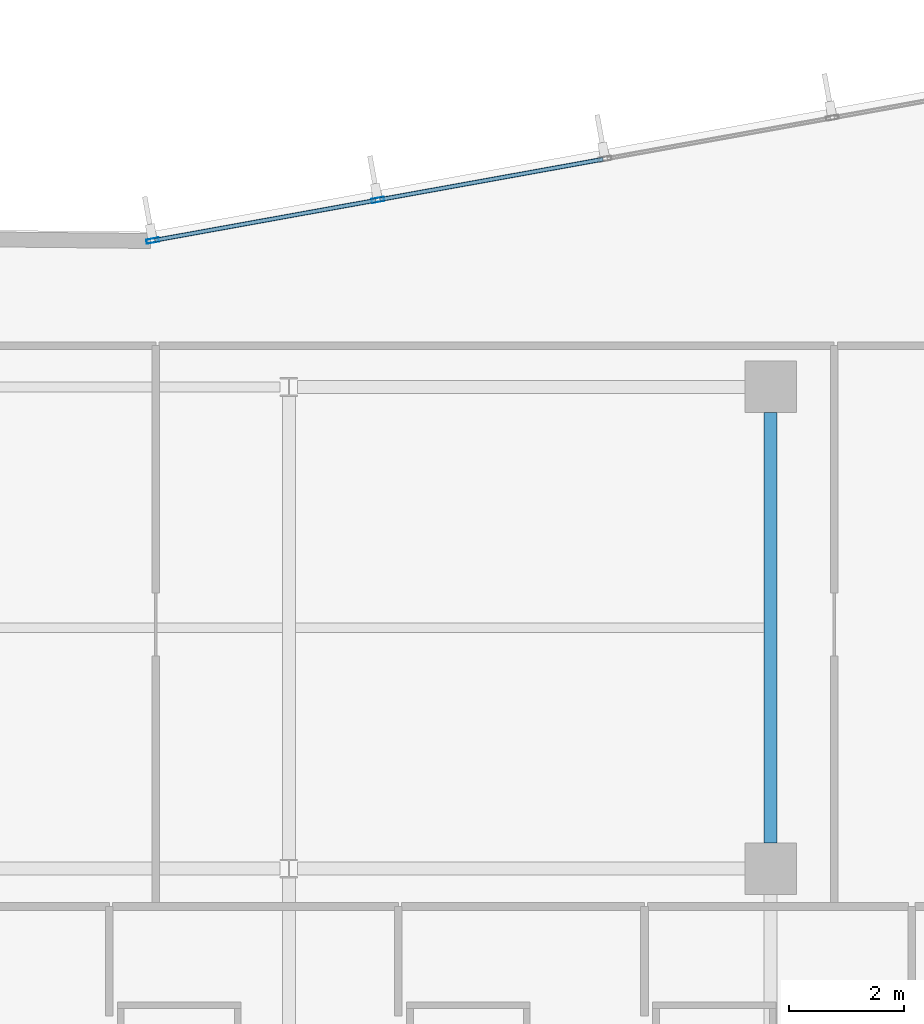
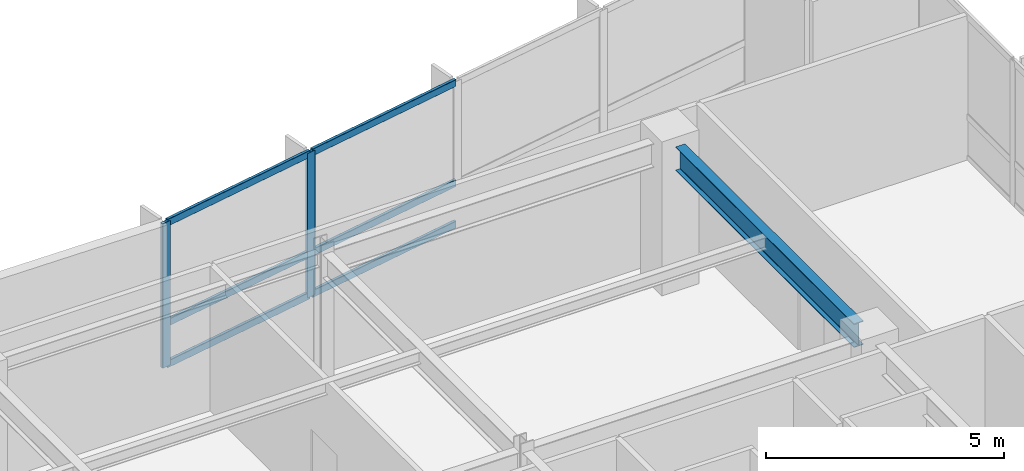
# One storey, part 7 of 19: 8 members, 1 beam, 1 element without a shape of its own.
"""IFC4 building model written with IfcOpenShell, lengths in metres."""

from ifc_helpers import new_model, si_unit, direction, frame, origin, origin_2d, place, context, subcontext, project, spatial, hollow_rectangle, i_section, extrude, material, layer, layer_set, material_profile, profile_set, type_object, element, aggregate, save


model = new_model("IFC4")

# Units and contexts
model_context = context("Model", 3, precision=1e-05, world=origin(), true_north=direction((0.0, 1.0)))
body_context = subcontext(model_context, "Body", "Model", "MODEL_VIEW")
ifc_project = project(units=[si_unit("LENGTHUNIT", "METRE"), si_unit("AREAUNIT", "SQUARE_METRE"), si_unit("VOLUMEUNIT", "CUBIC_METRE"), si_unit("PLANEANGLEUNIT", "RADIAN"), si_unit("MASSUNIT", "GRAM", prefix="KILO")], contexts=[model_context])

# Site, building, storey
site_placement = place(None, origin())
site = spatial("IfcSite", under=ifc_project, at=site_placement, CompositionType="ELEMENT")
building_placement = place(site_placement, origin())
building = spatial("IfcBuilding", under=site, at=building_placement, Name="Varnakote Quay Hospital", CompositionType="ELEMENT")
storey_placement = place(building_placement, frame((0.0, 0.0, 85.699951171875)))
storey = spatial("IfcBuildingStorey", under=building, at=storey_placement, Name="L21", CompositionType="ELEMENT", Elevation=85.699951171875)

# Beam
ifc_material_1 = material(Name="Structural steel AS/NZS 3679.1 Grade 350 L0 (fy 340 MPa)", Category="steel")
ifc_material_profile_1 = material_profile(ifc_material_1, i_section(OverallWidth=0.22900390625, OverallDepth=0.612060546875, WebThickness=0.011962890625, FlangeThickness=0.01953125, FilletRadius=0.013916015625, at=origin_2d()), Name="610UB125")
ifc_profile_set_1 = profile_set([ifc_material_profile_1], Name="Structural steel AS/NZS 3679.1 Grade 350 L0 (fy 340 MPa)")
beam_type = type_object("IfcBeamType", Name="BM-STL-610UB125", PredefinedType="BEAM", material=ifc_profile_set_1)
beam_placement = place(storey_placement, frame((50.39990234375, 20.85009765625, 3.404052734375), z_axis=(0.0, 1.0, 0.0), x_axis=(-1.0, 0.0, 0.0)))
element("IfcBeam", 1, at=beam_placement, inside=storey, type_object=beam_type, Name="L21 Primary Tie Beam", PredefinedType="BEAM", context=body_context, shape_type="SweptSolid", body=[
    extrude(i_section(OverallWidth=0.22900390625, OverallDepth=0.612060546875, WebThickness=0.011962890625, FlangeThickness=0.01953125, FilletRadius=0.013916015625, at=origin_2d()), origin(), (0.0, 0.0, 1.0), 7.5),
])

# Curtain wall, members
ifc_material_2 = material(Name="Anodised aluminium 6063-T6 Bronze", Category="aluminium")
ifc_layer = layer(ifc_material_2, 0.18994140625)
ifc_layer_set = layer_set([ifc_layer], Name="Anodised aluminium 6063-T6 Bronze")
curtain_wall_type = type_object("IfcCurtainWallType", Name="CW-SYS-2", PredefinedType="NOTDEFINED", material=ifc_layer_set)
curtain_wall_placement = place(storey_placement, origin())
curtain_wall = element("IfcCurtainWall", 2, at=curtain_wall_placement, inside=storey, type_object=curtain_wall_type, Name="L21 Unitised Bronze Curtain Wall 2", PredefinedType="NOTDEFINED")
ifc_material_3 = material(Name="Anodised aluminium 6063-T6 Bronze", Category="aluminium")
ifc_material_profile_2 = material_profile(ifc_material_3, hollow_rectangle(XDim=0.074951171875, YDim=0.219970703125, WallThickness=0.00439453125, InnerFilletRadius=0.00439453125, OuterFilletRadius=0.009033203125, at=origin_2d()), Name="CW-MULL-220x75")
ifc_profile_set_2 = profile_set([ifc_material_profile_2], Name="Anodised aluminium 6063-T6 Bronze")
member_type_1 = type_object("IfcMemberType", Name="CW-MULL-220x75", PredefinedType="MULLION", material=ifc_profile_set_2)
member_1_placement = place(storey_placement, frame((43.55224609375, 32.06005859375, 0.0), z_axis=(0.0, 0.0, 1.0), x_axis=(0.177846199098, -0.984058295766, 0.0)))
member_1 = element("IfcMember", 3, at=member_1_placement, type_object=member_type_1, Name="-2-L21-2 mullion 4", PredefinedType="MULLION", context=body_context, shape_type="SweptSolid", body=[
    extrude(hollow_rectangle(XDim=0.074951171875, YDim=0.219970703125, WallThickness=0.00439453125, InnerFilletRadius=0.00439453125, OuterFilletRadius=0.009033203125, at=origin_2d()), origin(), (0.0, 0.0, 1.0), 3.7099609375),
])
member_2_placement = place(storey_placement, frame((39.62646484375, 31.3505859375, 0.0), z_axis=(0.0, 0.0, 1.0), x_axis=(0.177846199098, -0.984058295766, 0.0)))
member_2 = element("IfcMember", 4, at=member_2_placement, type_object=member_type_1, Name="-2-L21-2 mullion 5", PredefinedType="MULLION", context=body_context, shape_type="SweptSolid", body=[
    extrude(hollow_rectangle(XDim=0.074951171875, YDim=0.219970703125, WallThickness=0.00439453125, InnerFilletRadius=0.00439453125, OuterFilletRadius=0.009033203125, at=origin_2d()), origin(), (0.0, 0.0, 1.0), 3.7099609375),
])
ifc_material_4 = material(Name="Anodised aluminium 6063-T6 Bronze", Category="aluminium")
ifc_material_profile_3 = material_profile(ifc_material_4, hollow_rectangle(XDim=0.074951171875, YDim=0.179931640625, WallThickness=0.004150390625, InnerFilletRadius=0.004150390625, OuterFilletRadius=0.00830078125, at=origin_2d()), Name="CW-TRAN-180x75")
ifc_profile_set_3 = profile_set([ifc_material_profile_3], Name="Anodised aluminium 6063-T6 Bronze")
member_type_2 = type_object("IfcMemberType", Name="CW-TRAN-180x75", PredefinedType="USERDEFINED", material=ifc_profile_set_3)
member_3_placement = place(storey_placement, frame((47.477783203125, 32.76953125, 0.03759765625), z_axis=(-0.98405423478, -0.177868667876, 0.0), x_axis=(0.177868667876, -0.98405423478, 0.0)))
member_3 = element("IfcMember", 5, at=member_3_placement, type_object=member_type_2, Name="-2-L21-2 transom 3.1", ObjectType="TRANSOM", PredefinedType="USERDEFINED", context=body_context, shape_type="SweptSolid", body=[
    extrude(hollow_rectangle(XDim=0.074951171875, YDim=0.179931640625, WallThickness=0.004150390625, InnerFilletRadius=0.004150390625, OuterFilletRadius=0.00830078125, at=origin_2d()), origin(), (0.0, 0.0, 1.0), 3.95166015625),
])
member_4_placement = place(storey_placement, frame((47.477783203125, 32.76953125, 1.10009765625), z_axis=(-0.98405423478, -0.177868667876, 0.0), x_axis=(0.177868667876, -0.98405423478, 0.0)))
member_4 = element("IfcMember", 6, at=member_4_placement, type_object=member_type_2, Name="-2-L21-2 transom 3.2", ObjectType="TRANSOM", PredefinedType="USERDEFINED", context=body_context, shape_type="SweptSolid", body=[
    extrude(hollow_rectangle(XDim=0.074951171875, YDim=0.179931640625, WallThickness=0.004150390625, InnerFilletRadius=0.004150390625, OuterFilletRadius=0.00830078125, at=origin_2d()), origin(), (0.0, 0.0, 1.0), 3.95166015625),
])
member_5_placement = place(storey_placement, frame((47.477783203125, 32.76953125, 3.672607421875), z_axis=(-0.98405423478, -0.177868667876, 0.0), x_axis=(0.177868667876, -0.98405423478, 0.0)))
member_5 = element("IfcMember", 7, at=member_5_placement, type_object=member_type_2, Name="-2-L21-2 transom 3.3", ObjectType="TRANSOM", PredefinedType="USERDEFINED", context=body_context, shape_type="SweptSolid", body=[
    extrude(hollow_rectangle(XDim=0.074951171875, YDim=0.179931640625, WallThickness=0.004150390625, InnerFilletRadius=0.004150390625, OuterFilletRadius=0.00830078125, at=origin_2d()), origin(), (0.0, 0.0, 1.0), 3.95166015625),
])
member_6_placement = place(storey_placement, frame((43.515380859375, 32.053466796875, 0.03759765625), z_axis=(-0.984053005206, -0.177875470329, 0.0), x_axis=(0.177875470329, -0.984053005206, 0.0)))
member_6 = element("IfcMember", 8, at=member_6_placement, type_object=member_type_2, Name="-2-L21-2 transom 4.1", ObjectType="TRANSOM", PredefinedType="USERDEFINED", context=body_context, shape_type="SweptSolid", body=[
    extrude(hollow_rectangle(XDim=0.074951171875, YDim=0.179931640625, WallThickness=0.004150390625, InnerFilletRadius=0.004150390625, OuterFilletRadius=0.00830078125, at=origin_2d()), origin(), (0.0, 0.0, 1.0), 3.91455078125),
])
member_7_placement = place(storey_placement, frame((43.515380859375, 32.053466796875, 1.10009765625), z_axis=(-0.984053005206, -0.177875470329, 0.0), x_axis=(0.177875470329, -0.984053005206, 0.0)))
member_7 = element("IfcMember", 9, at=member_7_placement, type_object=member_type_2, Name="-2-L21-2 transom 4.2", ObjectType="TRANSOM", PredefinedType="USERDEFINED", context=body_context, shape_type="SweptSolid", body=[
    extrude(hollow_rectangle(XDim=0.074951171875, YDim=0.179931640625, WallThickness=0.004150390625, InnerFilletRadius=0.004150390625, OuterFilletRadius=0.00830078125, at=origin_2d()), origin(), (0.0, 0.0, 1.0), 3.91455078125),
])
member_8_placement = place(storey_placement, frame((43.515380859375, 32.053466796875, 3.672607421875), z_axis=(-0.984053005206, -0.177875470329, 0.0), x_axis=(0.177875470329, -0.984053005206, 0.0)))
member_8 = element("IfcMember", 10, at=member_8_placement, type_object=member_type_2, Name="-2-L21-2 transom 4.3", ObjectType="TRANSOM", PredefinedType="USERDEFINED", context=body_context, shape_type="SweptSolid", body=[
    extrude(hollow_rectangle(XDim=0.074951171875, YDim=0.179931640625, WallThickness=0.004150390625, InnerFilletRadius=0.004150390625, OuterFilletRadius=0.00830078125, at=origin_2d()), origin(), (0.0, 0.0, 1.0), 3.91455078125),
])
aggregate(curtain_wall, [member_1, member_2, member_3, member_4, member_5, member_6, member_7, member_8])

save(model, "model.ifc")
